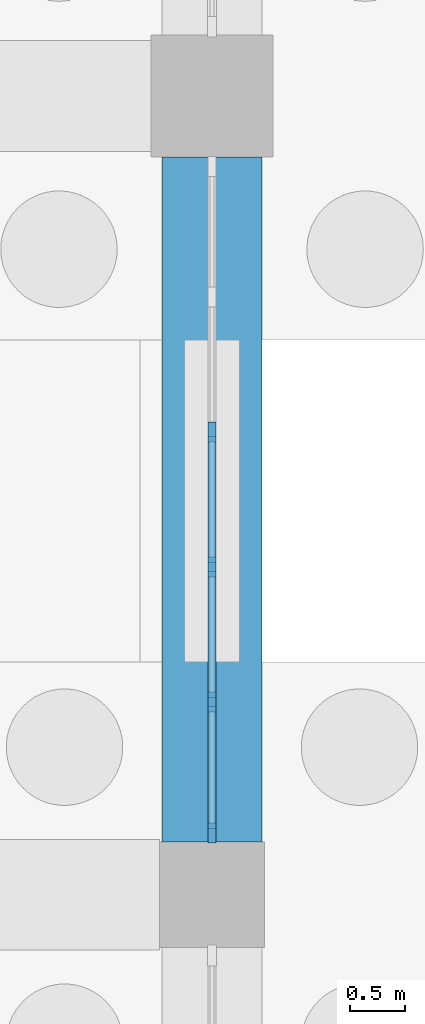
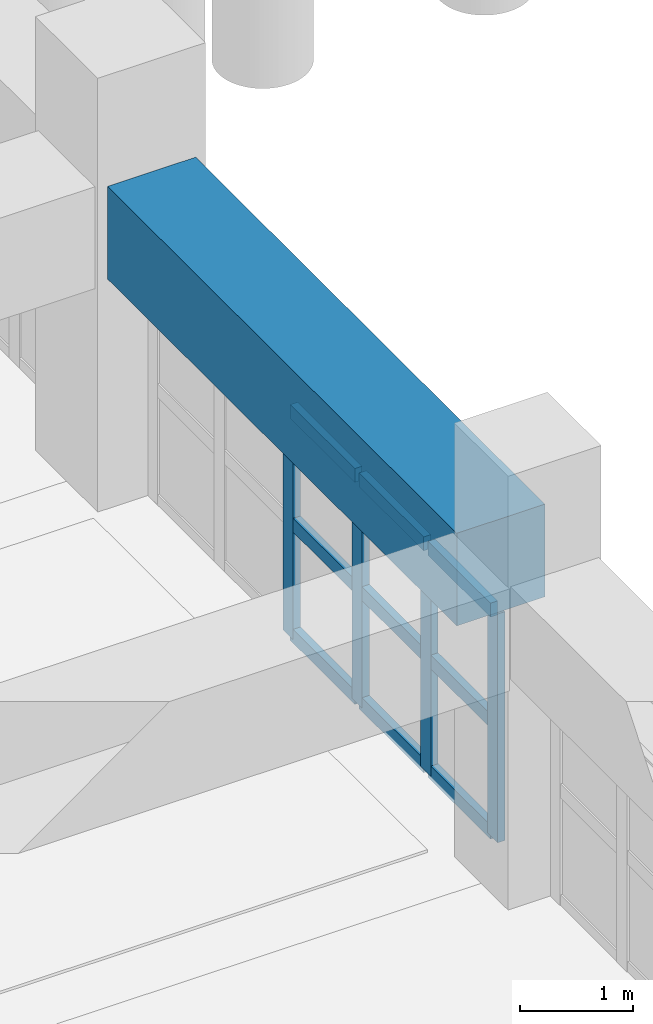
# One storey, part 21 of 79: 13 members, 1 beam, 1 element without a shape of its own.
"""IFC4 building model written with IfcOpenShell, lengths in metres."""

import ifcopenshell
import ifcopenshell.guid

model = None  # the IFC model being written
_history = None  # IfcOwnerHistory: only IFC2X3 demands one
_inside = {}  # id of a spatial element -> (the spatial element, [elements in it])
_under = {}  # id of a project, library or spatial element -> (it, [spatial elements below it])
_declared = {}  # id of a project -> (the project, [libraries it declares])
_typed = {}  # id of a type object -> (the type object, [elements of that type])
_made_of = {}  # id of a material, layer set ... -> (it, [elements and type objects made of it])


def new_model(schema):
    """Start an empty IFC model of exactly this schema.

    Asked for "IFC4X3", IfcOpenShell would pick the latest addendum, in which some entities
    have other attributes; the version numbers below select the first issue.
    IFC2X3 requires an IfcOwnerHistory on every rooted entity: one is made here for all.
    """
    global model, _history
    if schema == "IFC4X3":
        model = ifcopenshell.file(schema_version=(4, 3, 0, 0))
    else:
        model = ifcopenshell.file(schema=schema)
    _inside.clear()
    _under.clear()
    _declared.clear()
    _typed.clear()
    _made_of.clear()
    _history = None
    if model.schema == "IFC2X3":
        org = make("IfcOrganization", Name="unknown")
        user = make(
            "IfcPersonAndOrganization",
            ThePerson=make("IfcPerson", FamilyName="unknown"),
            TheOrganization=org,
        )
        app = make(
            "IfcApplication",
            ApplicationDeveloper=org,
            Version="unknown",
            ApplicationFullName="unknown",
            ApplicationIdentifier="unknown",
        )
        _history = make(
            "IfcOwnerHistory",
            OwningUser=user,
            OwningApplication=app,
            ChangeAction="ADDED",
            CreationDate=0,
        )
    return model


def make(cls, **values):
    """One entity of the class cls with the attributes given. An attribute that is None is left unset."""
    return model.create_entity(
        cls, **{name: value for name, value in values.items() if value is not None}
    )


def rooted(cls, **values):
    """An entity with a GlobalId (a new one), such as an element, a storey or a relation."""
    return make(cls, GlobalId=ifcopenshell.guid.new(), OwnerHistory=_history, **values)


def si_unit(unit_type, name, prefix=None):
    """IfcSIUnit, for example si_unit("LENGTHUNIT", "METRE", prefix="MILLI")."""
    return make("IfcSIUnit", UnitType=unit_type, Prefix=prefix, Name=name)


def assignment(units):
    """IfcUnitAssignment: the units of a project."""
    return None if units is None else make("IfcUnitAssignment", Units=units)


def point(xyz):
    """IfcCartesianPoint."""
    return None if xyz is None else make("IfcCartesianPoint", Coordinates=xyz)


def direction(xyz):
    """IfcDirection."""
    return None if xyz is None else make("IfcDirection", DirectionRatios=xyz)


def frame(location, z_axis=None, x_axis=None):
    """IfcAxis2Placement3D, a coordinate frame: its origin and axes. An axis left out is left unset."""
    return make(
        "IfcAxis2Placement3D",
        Location=point(location),
        Axis=direction(z_axis),
        RefDirection=direction(x_axis),
    )


def frame_2d(location, x_axis=None):
    """IfcAxis2Placement2D, a coordinate frame in the plane: its origin and x axis."""
    return make(
        "IfcAxis2Placement2D", Location=point(location), RefDirection=direction(x_axis)
    )


def origin():
    """The frame at (0, 0, 0) with its axes left unset."""
    return frame((0.0, 0.0, 0.0))


def origin_2d():
    """The frame at (0, 0) in the plane with its x axis left unset."""
    return frame_2d((0.0, 0.0))


def place(relative_to, where):
    """IfcLocalPlacement: puts the frame where relative to a parent placement (None: the world)."""
    return make(
        "IfcLocalPlacement", PlacementRelTo=relative_to, RelativePlacement=where
    )


def context(
    kind, dimensions, precision=None, world=None, true_north=None, identifier=None
):
    """IfcGeometricRepresentationContext, for example the 3D "Model" context."""
    return make(
        "IfcGeometricRepresentationContext",
        ContextIdentifier=identifier,
        ContextType=kind,
        CoordinateSpaceDimension=dimensions,
        Precision=precision,
        WorldCoordinateSystem=world,
        TrueNorth=true_north,
    )


def subcontext(parent, identifier, kind, view, scale=None):
    """IfcGeometricRepresentationSubContext, for example "Body" below "Model"."""
    return make(
        "IfcGeometricRepresentationSubContext",
        ContextIdentifier=identifier,
        ContextType=kind,
        ParentContext=parent,
        TargetScale=scale,
        TargetView=view,
    )


def project(units=None, contexts=None):
    """IfcProject with its units and contexts."""
    return rooted(
        "IfcProject",
        Name="project",
        RepresentationContexts=contexts,
        UnitsInContext=assignment(units),
    )


def spatial(cls, under=None, at=None, **own):
    """A site, building, storey or space (cls), placed at a placement, below another one or the project."""
    s = rooted(cls, ObjectPlacement=at, **own)
    if under is not None:
        _under.setdefault(under.id(), (under, []))[1].append(s)
    return s


def profile(cls, at=None, kind="AREA", **sizes):
    """A parametric profile (cls). Its sizes go by their IFC names, for example OverallWidth=200.0."""
    return make(cls, ProfileType=kind, Position=at, **sizes)


def rectangle(**sizes):
    """IfcRectangleProfileDef."""
    return profile("IfcRectangleProfileDef", **sizes)


def extrude(swept, where, along, depth):
    """IfcExtrudedAreaSolid: the profile swept, set in the frame where, extruded along a direction by depth."""
    return make(
        "IfcExtrudedAreaSolid",
        SweptArea=swept,
        Position=where,
        ExtrudedDirection=direction(along),
        Depth=depth,
    )


def shape(context_of_items, identifier, shape_type, items):
    """IfcShapeRepresentation: the items that make up one representation, for example the "Body"."""
    return make(
        "IfcShapeRepresentation",
        ContextOfItems=context_of_items,
        RepresentationIdentifier=identifier,
        RepresentationType=shape_type,
        Items=items,
    )


def material(Name=None, Category=None):
    """IfcMaterial."""
    return make("IfcMaterial", Name=Name, Category=Category)


def layer(
    of_material, thickness, ventilated=None, Name=None, Category=None, Priority=None
):
    """IfcMaterialLayer: one layer of a wall or slab, of a material (None: an air gap)."""
    return make(
        "IfcMaterialLayer",
        Material=of_material,
        LayerThickness=thickness,
        IsVentilated=ventilated,
        Name=Name,
        Category=Category,
        Priority=Priority,
    )


def layer_set(layers, Name=None):
    """IfcMaterialLayerSet."""
    return make("IfcMaterialLayerSet", MaterialLayers=layers, LayerSetName=Name)


def material_profile(
    of_material, cross_section, Name=None, Category=None, Priority=None
):
    """IfcMaterialProfile: a cross section and its material."""
    return make(
        "IfcMaterialProfile",
        Name=Name,
        Material=of_material,
        Profile=cross_section,
        Priority=Priority,
        Category=Category,
    )


def profile_set(profiles, Name=None, composite=None):
    """IfcMaterialProfileSet."""
    return make(
        "IfcMaterialProfileSet",
        Name=Name,
        MaterialProfiles=profiles,
        CompositeProfile=composite,
    )


def made_of(thing, what):
    """Note that an element or type object is made of a material, layer set ...; save() writes the relation."""
    if what is not None:
        _made_of.setdefault(what.id(), (what, []))[1].append(thing)
    return thing


def type_object(cls, material=None, **own):
    """A type object (cls), such as IfcWallType, which elements share."""
    return made_of(rooted(cls, **own), material)


def element(
    cls,
    number,
    at=None,
    inside=None,
    cuts=None,
    type_object=None,
    material=None,
    context=None,
    identifier="Body",
    shape_type=None,
    held_by="IfcProductDefinitionShape",
    body=None,
    shapes=None,
    **own,
):
    """One element of the class cls, such as IfcWall. Its Tag is "e" and its number.

    at: its placement. inside: the storey or other place that contains it. cuts: it is an
    opening in that element (IfcRelVoidsElement). A single representation is given by context,
    identifier, shape_type and body (its items); several are given by shapes. held_by: the class
    of the entity that holds the representations. save() writes the other relations.
    """
    e = rooted(cls, Tag="e%d" % number, ObjectPlacement=at, **own)
    if body is not None:
        shapes = [shape(context, identifier, shape_type, body)]
    if shapes is not None:
        e.Representation = make(held_by, Representations=shapes)
    if inside is not None:
        _inside.setdefault(inside.id(), (inside, []))[1].append(e)
    if cuts is not None:
        rooted(
            "IfcRelVoidsElement", RelatingBuildingElement=cuts, RelatedOpeningElement=e
        )
    if type_object is not None:
        _typed.setdefault(type_object.id(), (type_object, []))[1].append(e)
    return made_of(e, material)


def aggregate(whole, parts):
    """IfcRelAggregates: a whole, such as a stair, and the parts it consists of."""
    return rooted("IfcRelAggregates", RelatingObject=whole, RelatedObjects=parts)


def save(model, path):
    """Write the relations noted so far, then the file.

    IfcRelAggregates (storeys below a building ...), IfcRelContainedInSpatialStructure (elements
    in a storey), IfcRelDefinesByType, IfcRelAssociatesMaterial and IfcRelDeclares: one each for
    every whole, place, type object, material and project.
    """
    for whole, parts in _under.values():
        aggregate(whole, parts)
    for where, things in _inside.values():
        rooted(
            "IfcRelContainedInSpatialStructure",
            RelatedElements=things,
            RelatingStructure=where,
        )
    for kind, things in _typed.values():
        rooted("IfcRelDefinesByType", RelatedObjects=things, RelatingType=kind)
    for what, things in _made_of.values():
        rooted("IfcRelAssociatesMaterial", RelatedObjects=things, RelatingMaterial=what)
    for by, libraries in _declared.values():
        rooted("IfcRelDeclares", RelatingContext=by, RelatedDefinitions=libraries)
    model.write(path)


model = new_model("IFC4")

# Units and contexts
model_context = context("Model", 3, precision=1e-05, world=origin(), true_north=direction((0.0, 1.0)))
body_context = subcontext(model_context, "Body", "Model", "MODEL_VIEW")
ifc_project = project(units=[si_unit("LENGTHUNIT", "METRE"), si_unit("AREAUNIT", "SQUARE_METRE"), si_unit("VOLUMEUNIT", "CUBIC_METRE"), si_unit("PLANEANGLEUNIT", "RADIAN"), si_unit("MASSUNIT", "GRAM", prefix="KILO")], contexts=[model_context])

# Site, building, storey
site_placement = place(None, origin())
site = spatial("IfcSite", under=ifc_project, at=site_placement, CompositionType="ELEMENT")
building_placement = place(site_placement, origin())
building = spatial("IfcBuilding", under=site, at=building_placement, Name="Kavelor Marine Aquarium", CompositionType="ELEMENT")
storey_placement = place(building_placement, origin())
storey = spatial("IfcBuildingStorey", under=building, at=storey_placement, Name="L00", CompositionType="ELEMENT", Elevation=0.0)

# Beam
ifc_material_1 = material(Name="Concrete C45/55", Category="concrete")
ifc_material_profile_1 = material_profile(ifc_material_1, rectangle(XDim=0.89990234375, YDim=1.0, at=origin_2d()), Name="RC-TG 900x1000")
ifc_profile_set_1 = profile_set([ifc_material_profile_1], Name="Concrete C45/55")
beam_type = type_object("IfcBeamType", Name="BM-TG2", PredefinedType="BEAM", material=ifc_profile_set_1)
beam_placement = place(storey_placement, frame((39.199951171875, 60.875, 2.97998046875), z_axis=(0.0, 1.0, 0.0), x_axis=(-1.0, 0.0, 0.0)))
element("IfcBeam", 1, at=beam_placement, inside=storey, type_object=beam_type, Name="bm:y:L00:L01:05_08", PredefinedType="BEAM", context=body_context, shape_type="SweptSolid", body=[
    extrude(rectangle(XDim=0.89990234375, YDim=1.0, at=origin_2d()), origin(), (0.0, 0.0, 1.0), 6.175048828125),
])

# Curtain wall, members
ifc_material_2 = material(Name="Thermally Broken Aluminium and Low-E Glass", Category="aluminium")
ifc_layer = layer(ifc_material_2, 0.196044921875)
ifc_layer_set = layer_set([ifc_layer], Name="CW-SYS7")
curtain_wall_type = type_object("IfcCurtainWallType", Name="CW-SYS7", PredefinedType="USERDEFINED", material=ifc_layer_set)
curtain_wall_placement = place(storey_placement, origin())
curtain_wall = element("IfcCurtainWall", 2, at=curtain_wall_placement, inside=storey, type_object=curtain_wall_type, Name="cw:y:L00:05_08", ObjectType="Curtain Wall", PredefinedType="USERDEFINED")
ifc_material_3 = material(Name="Anodised Aluminium Alloy 6063-T6", Category="aluminium")
ifc_material_profile_2 = material_profile(ifc_material_3, rectangle(XDim=0.074951171875, YDim=0.179931640625, at=origin_2d()), Name="CW-MUL 75x180")
ifc_profile_set_2 = profile_set([ifc_material_profile_2], Name="Anodised Aluminium Alloy 6063-T6")
member_type_1 = type_object("IfcMemberType", Name="CWM-1", PredefinedType="MULLION", material=ifc_profile_set_2)
member_1_placement = place(storey_placement, frame((39.199951171875, 60.95751953125, 0.0), z_axis=(0.0, 0.0, 1.0), x_axis=(-1.0, 0.0, 0.0)))
member_1 = element("IfcMember", 3, at=member_1_placement, type_object=member_type_1, Name="CW07 mullion 1", PredefinedType="MULLION", context=body_context, shape_type="SweptSolid", body=[
    extrude(rectangle(XDim=0.074951171875, YDim=0.179931640625, at=origin_2d()), origin(), (0.0, 0.0, 1.0), 2.469970703125),
])
member_2_placement = place(storey_placement, frame((39.199951171875, 62.136962890625, 0.0), z_axis=(0.0, 0.0, 1.0), x_axis=(-1.0, 0.0, 0.0)))
member_2 = element("IfcMember", 4, at=member_2_placement, type_object=member_type_1, Name="CW07 mullion 2", PredefinedType="MULLION", context=body_context, shape_type="SweptSolid", body=[
    extrude(rectangle(XDim=0.074951171875, YDim=0.179931640625, at=origin_2d()), origin(), (0.0, 0.0, 1.0), 2.469970703125),
])
member_3_placement = place(storey_placement, frame((39.199951171875, 63.35400390625, 0.0), z_axis=(0.0, 0.0, 1.0), x_axis=(-1.0, 0.0, 0.0)))
member_3 = element("IfcMember", 5, at=member_3_placement, type_object=member_type_1, Name="CW07 mullion 3", PredefinedType="MULLION", context=body_context, shape_type="SweptSolid", body=[
    extrude(rectangle(XDim=0.074951171875, YDim=0.179931640625, at=origin_2d()), origin(), (0.0, 0.0, 1.0), 2.469970703125),
])
member_4_placement = place(storey_placement, frame((39.199951171875, 64.571044921875, 0.0), z_axis=(0.0, 0.0, 1.0), x_axis=(-1.0, 0.0, 0.0)))
member_4 = element("IfcMember", 6, at=member_4_placement, type_object=member_type_1, Name="CW07 mullion 4", PredefinedType="MULLION", context=body_context, shape_type="SweptSolid", body=[
    extrude(rectangle(XDim=0.074951171875, YDim=0.179931640625, at=origin_2d()), origin(), (0.0, 0.0, 1.0), 2.469970703125),
])
ifc_material_4 = material(Name="Anodised Aluminium Alloy 6063-T6", Category="aluminium")
ifc_material_profile_3 = material_profile(ifc_material_4, rectangle(XDim=0.074951171875, YDim=0.14990234375, at=origin_2d()), Name="CW-TRN 75x150")
ifc_profile_set_3 = profile_set([ifc_material_profile_3], Name="Anodised Aluminium Alloy 6063-T6")
member_type_2 = type_object("IfcMemberType", Name="CWT-1", PredefinedType="USERDEFINED", material=ifc_profile_set_3)
member_5_placement = place(storey_placement, frame((39.199951171875, 60.9951171875, 0.03759765625), z_axis=(0.0, 1.0, 0.0), x_axis=(-1.0, 0.0, 0.0)))
member_5 = element("IfcMember", 7, at=member_5_placement, type_object=member_type_2, Name="CW07 transom 1.1", ObjectType="TRANSOM", PredefinedType="USERDEFINED", context=body_context, shape_type="SweptSolid", body=[
    extrude(rectangle(XDim=0.074951171875, YDim=0.14990234375, at=origin_2d()), origin(), (0.0, 0.0, 1.0), 1.1044921875),
])
member_6_placement = place(storey_placement, frame((39.199951171875, 60.9951171875, 1.235107421875), z_axis=(0.0, 1.0, 0.0), x_axis=(-1.0, 0.0, 0.0)))
member_6 = element("IfcMember", 8, at=member_6_placement, type_object=member_type_2, Name="CW07 transom 1.2", ObjectType="TRANSOM", PredefinedType="USERDEFINED", context=body_context, shape_type="SweptSolid", body=[
    extrude(rectangle(XDim=0.074951171875, YDim=0.14990234375, at=origin_2d()), origin(), (0.0, 0.0, 1.0), 1.1044921875),
])
member_7_placement = place(storey_placement, frame((39.199951171875, 60.9951171875, 2.4326171875), z_axis=(0.0, 1.0, 0.0), x_axis=(-1.0, 0.0, 0.0)))
member_7 = element("IfcMember", 9, at=member_7_placement, type_object=member_type_2, Name="CW07 transom 1.3", ObjectType="TRANSOM", PredefinedType="USERDEFINED", context=body_context, shape_type="SweptSolid", body=[
    extrude(rectangle(XDim=0.074951171875, YDim=0.14990234375, at=origin_2d()), origin(), (0.0, 0.0, 1.0), 1.1044921875),
])
member_8_placement = place(storey_placement, frame((39.199951171875, 62.174560546875, 0.03759765625), z_axis=(0.0, 1.0, 0.0), x_axis=(-1.0, 0.0, 0.0)))
member_8 = element("IfcMember", 10, at=member_8_placement, type_object=member_type_2, Name="CW07 transom 2.1", ObjectType="TRANSOM", PredefinedType="USERDEFINED", context=body_context, shape_type="SweptSolid", body=[
    extrude(rectangle(XDim=0.074951171875, YDim=0.14990234375, at=origin_2d()), origin(), (0.0, 0.0, 1.0), 1.141845703125),
])
member_9_placement = place(storey_placement, frame((39.199951171875, 62.174560546875, 1.235107421875), z_axis=(0.0, 1.0, 0.0), x_axis=(-1.0, 0.0, 0.0)))
member_9 = element("IfcMember", 11, at=member_9_placement, type_object=member_type_2, Name="CW07 transom 2.2", ObjectType="TRANSOM", PredefinedType="USERDEFINED", context=body_context, shape_type="SweptSolid", body=[
    extrude(rectangle(XDim=0.074951171875, YDim=0.14990234375, at=origin_2d()), origin(), (0.0, 0.0, 1.0), 1.141845703125),
])
member_10_placement = place(storey_placement, frame((39.199951171875, 62.174560546875, 2.4326171875), z_axis=(0.0, 1.0, 0.0), x_axis=(-1.0, 0.0, 0.0)))
member_10 = element("IfcMember", 12, at=member_10_placement, type_object=member_type_2, Name="CW07 transom 2.3", ObjectType="TRANSOM", PredefinedType="USERDEFINED", context=body_context, shape_type="SweptSolid", body=[
    extrude(rectangle(XDim=0.074951171875, YDim=0.14990234375, at=origin_2d()), origin(), (0.0, 0.0, 1.0), 1.141845703125),
])
member_11_placement = place(storey_placement, frame((39.199951171875, 63.3916015625, 0.03759765625), z_axis=(0.0, 1.0, 0.0), x_axis=(-1.0, 0.0, 0.0)))
member_11 = element("IfcMember", 13, at=member_11_placement, type_object=member_type_2, Name="CW07 transom 3.1", ObjectType="TRANSOM", PredefinedType="USERDEFINED", context=body_context, shape_type="SweptSolid", body=[
    extrude(rectangle(XDim=0.074951171875, YDim=0.14990234375, at=origin_2d()), origin(), (0.0, 0.0, 1.0), 1.141845703125),
])
member_12_placement = place(storey_placement, frame((39.199951171875, 63.3916015625, 1.235107421875), z_axis=(0.0, 1.0, 0.0), x_axis=(-1.0, 0.0, 0.0)))
member_12 = element("IfcMember", 14, at=member_12_placement, type_object=member_type_2, Name="CW07 transom 3.2", ObjectType="TRANSOM", PredefinedType="USERDEFINED", context=body_context, shape_type="SweptSolid", body=[
    extrude(rectangle(XDim=0.074951171875, YDim=0.14990234375, at=origin_2d()), origin(), (0.0, 0.0, 1.0), 1.141845703125),
])
member_13_placement = place(storey_placement, frame((39.199951171875, 63.3916015625, 2.4326171875), z_axis=(0.0, 1.0, 0.0), x_axis=(-1.0, 0.0, 0.0)))
member_13 = element("IfcMember", 15, at=member_13_placement, type_object=member_type_2, Name="CW07 transom 3.3", ObjectType="TRANSOM", PredefinedType="USERDEFINED", context=body_context, shape_type="SweptSolid", body=[
    extrude(rectangle(XDim=0.074951171875, YDim=0.14990234375, at=origin_2d()), origin(), (0.0, 0.0, 1.0), 1.141845703125),
])
aggregate(curtain_wall, [member_1, member_2, member_3, member_4, member_5, member_6, member_7, member_8, member_9, member_10, member_11, member_12, member_13])

save(model, "model.ifc")
